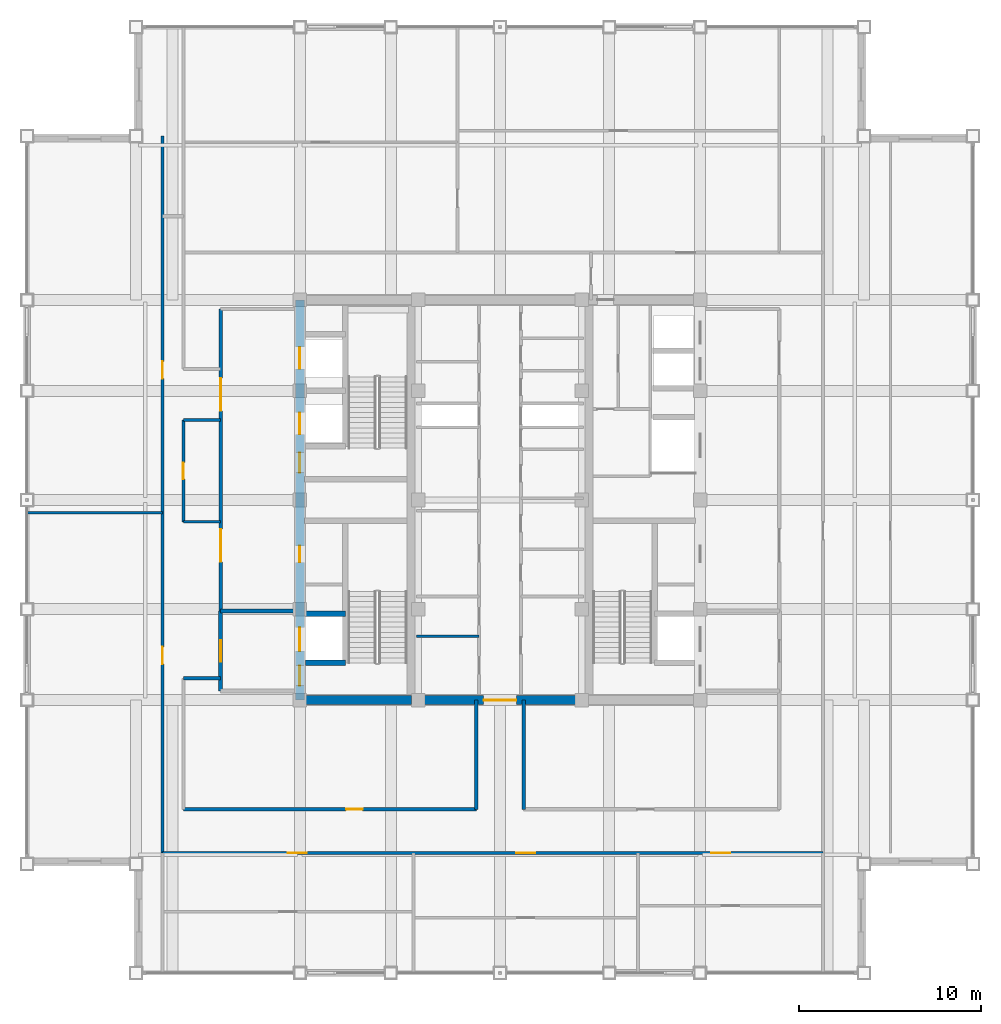
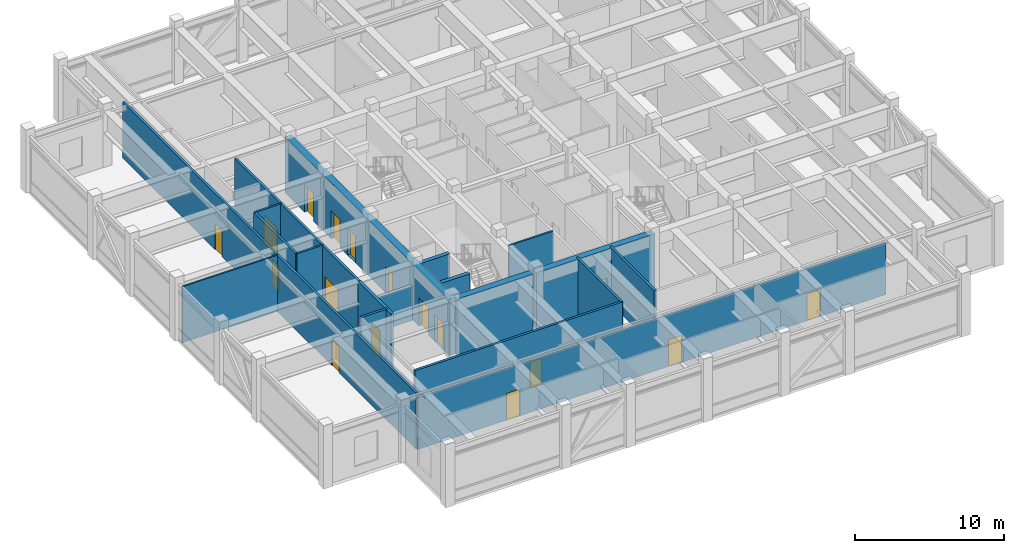
# One storey, part 24 of 29: 19 walls, 17 doors, 17 openings.
"""IFC4 building model written with IfcOpenShell, lengths in metres."""

from ifc_helpers import new_model, si_unit, direction, frame, frame_2d, origin, place, context, subcontext, project, spatial, rectangle, extrude, source, transform, mapped, material, layer, layer_set, type_object, element, fill, save


model = new_model("IFC4")

# Units and contexts
model_context = context("Model", 3, precision=1e-05, world=origin(), true_north=direction((0.0, 1.0)))
body_context = subcontext(model_context, "Body", "Model", "MODEL_VIEW")
ifc_project = project(units=[si_unit("LENGTHUNIT", "METRE"), si_unit("AREAUNIT", "SQUARE_METRE"), si_unit("VOLUMEUNIT", "CUBIC_METRE"), si_unit("PLANEANGLEUNIT", "RADIAN"), si_unit("MASSUNIT", "GRAM", prefix="KILO")], contexts=[model_context])

# Site, building, storey
site_placement = place(None, origin())
site = spatial("IfcSite", under=ifc_project, at=site_placement, CompositionType="ELEMENT")
building_placement = place(site_placement, origin())
building = spatial("IfcBuilding", under=site, at=building_placement, Name="Khorayat Bourse Tower", CompositionType="ELEMENT")
storey_placement = place(building_placement, frame((0.0, 0.0, 370.300048828125)))
storey = spatial("IfcBuildingStorey", under=building, at=storey_placement, Name="L88", CompositionType="ELEMENT", Elevation=370.300048828125)

# Wall, openings, doors
ifc_material_1 = material(Name="Concrete C52/65", Category="concrete")
ifc_layer_1 = layer(ifc_material_1, 0.5)
ifc_layer_set_1 = layer_set([ifc_layer_1], Name="Concrete C52/65")
wall_type_1 = type_object("IfcWallType", Name="WAL-CORE-500", PredefinedType="SHEAR", material=ifc_layer_set_1)
shared_shape_1 = source(origin(), body_context, "Body", "SweptSolid", [
    extrude(rectangle(XDim=22.0, YDim=0.5, at=frame_2d((11.0, 0.0))), origin(), (0.0, 0.0, 1.0), 4.599853515625),
])
wall_1_placement = place(storey_placement, frame((-11.0, -11.0, 0.0), z_axis=(0.0, 0.0, 1.0), x_axis=(0.0, 1.0, 0.0)))
wall_1 = element("IfcWall", 1, at=wall_1_placement, inside=storey, type_object=wall_type_1, Name="L88 Core Shear Wall CORE-W", PredefinedType="SHEAR", context=body_context, shape_type="MappedRepresentation", body=[
    mapped(shared_shape_1, transform((0.0, 0.0, 0.0), scale=1.0)),
])
shared_shape_2 = source(origin(), body_context, "Body", "SweptSolid", [
    extrude(rectangle(XDim=1.10009765625, YDim=2.199951171875, at=frame_2d((0.550048828125, 1.10009765625))), frame((0.0, 0.260009765625, 0.0), z_axis=(0.0, -1.0, 0.0), x_axis=(1.0, 0.0, 0.0)), (0.0, 0.0, 1.0), 0.52001953125),
])
opening_1_placement = place(wall_1_placement, frame((0.800048828125, 0.0, 0.0)))
opening_1 = element("IfcOpeningElement", 2, at=opening_1_placement, cuts=wall_1, Name="Opening DI-01", PredefinedType="OPENING", context=body_context, shape_type="MappedRepresentation", body=[
    mapped(shared_shape_2, transform((0.0, 0.0, 0.0), scale=1.0)),
])
opening_2_placement = place(wall_1_placement, frame((12.5, 0.0, 0.0)))
opening_2 = element("IfcOpeningElement", 3, at=opening_2_placement, cuts=wall_1, Name="Opening DI-01", PredefinedType="OPENING", context=body_context, shape_type="MappedRepresentation", body=[
    mapped(shared_shape_2, transform((0.0, 0.0, 0.0), scale=1.0)),
])
shared_shape_3 = source(origin(), body_context, "Body", "SweptSolid", [
    extrude(rectangle(XDim=0.89990234375, YDim=2.14990234375, at=frame_2d((0.449951171875, 1.074951171875))), frame((0.0, 0.260009765625, 0.0), z_axis=(0.0, -1.0, 0.0), x_axis=(1.0, 0.0, 0.0)), (0.0, 0.0, 1.0), 0.52001953125),
])
opening_3_placement = place(wall_1_placement, frame((7.574951171875, 0.0, 0.0)))
opening_3 = element("IfcOpeningElement", 4, at=opening_3_placement, cuts=wall_1, Name="Opening DI-06", PredefinedType="OPENING", context=body_context, shape_type="MappedRepresentation", body=[
    mapped(shared_shape_3, transform((0.0, 0.0, 0.0), scale=1.0)),
])
shared_shape_4 = source(origin(), body_context, "Body", "SweptSolid", [
    extrude(rectangle(XDim=1.199951171875, YDim=2.300048828125, at=frame_2d((0.60009765625, 1.14990234375))), frame((0.0, 0.260009765625, 0.0), z_axis=(0.0, -1.0, 0.0), x_axis=(1.0, 0.0, 0.0)), (0.0, 0.0, 1.0), 0.52001953125),
])
opening_4_placement = place(wall_1_placement, frame((14.60009765625, 0.0, 0.0)))
opening_4 = element("IfcOpeningElement", 5, at=opening_4_placement, cuts=wall_1, Name="Opening LD-01", PredefinedType="OPENING", context=body_context, shape_type="MappedRepresentation", body=[
    mapped(shared_shape_4, transform((0.0, 0.0, 0.0), scale=1.0)),
])
opening_5_placement = place(wall_1_placement, frame((18.199951171875, 0.0, 0.0)))
opening_5 = element("IfcOpeningElement", 6, at=opening_5_placement, cuts=wall_1, Name="Opening LD-01", PredefinedType="OPENING", context=body_context, shape_type="MappedRepresentation", body=[
    mapped(shared_shape_4, transform((0.0, 0.0, 0.0), scale=1.0)),
])
shared_shape_5 = source(origin(), body_context, "Body", "SweptSolid", [
    extrude(rectangle(XDim=1.300048828125, YDim=2.300048828125, at=frame_2d((0.64990234375, 1.14990234375))), frame((0.0, 0.260009765625, 0.0), z_axis=(0.0, -1.0, 0.0), x_axis=(1.0, 0.0, 0.0)), (0.0, 0.0, 1.0), 0.52001953125),
])
opening_6_placement = place(wall_1_placement, frame((2.699951171875, 0.0, 0.0)))
opening_6 = element("IfcOpeningElement", 7, at=opening_6_placement, cuts=wall_1, Name="Opening LD-02", PredefinedType="OPENING", context=body_context, shape_type="MappedRepresentation", body=[
    mapped(shared_shape_5, transform((0.0, 0.0, 0.0), scale=1.0)),
])
ifc_material_2 = material(Name="Fire-rated steel acoustic leaf", Category="steel")
door_type_1 = type_object("IfcDoorType", Name="DR-INT-STAIR-1100", OperationType="NOTDEFINED", PredefinedType="DOOR", material=ifc_material_2)
shared_shape_6 = source(origin(), body_context, "Body", "SweptSolid", [
    extrude(rectangle(XDim=1.10009765625, YDim=2.199951171875, at=frame_2d((0.550048828125, 1.10009765625))), frame((0.0, 0.02490234375, 0.0), z_axis=(0.0, -1.0, 0.0), x_axis=(1.0, 0.0, 0.0)), (0.0, 0.0, 1.0), 0.050048828125),
])
door_1_placement = place(opening_1_placement, origin())
door_1 = element("IfcDoor", 8, at=door_1_placement, inside=storey, type_object=door_type_1, Name="L88 Exit Stair 1 Door", OperationType="SINGLE_SWING_RIGHT", OverallHeight=2.199951171875, OverallWidth=1.10009765625, PredefinedType="DOOR", context=body_context, shape_type="MappedRepresentation", body=[
    mapped(shared_shape_6, transform((0.0, 0.0, 0.0), scale=1.0)),
])
fill(opening_1, door_1)
door_2_placement = place(opening_2_placement, origin())
door_2 = element("IfcDoor", 9, at=door_2_placement, inside=storey, type_object=door_type_1, Name="L88 Exit Stair 2 Door", OperationType="SINGLE_SWING_RIGHT", OverallHeight=2.199951171875, OverallWidth=1.10009765625, PredefinedType="DOOR", context=body_context, shape_type="MappedRepresentation", body=[
    mapped(shared_shape_6, transform((0.0, 0.0, 0.0), scale=1.0)),
])
fill(opening_2, door_2)
ifc_material_3 = material(Name="Moisture-resistant laminate washroom door")
door_type_2 = type_object("IfcDoorType", Name="DR-INT-WC-900", OperationType="NOTDEFINED", PredefinedType="DOOR", material=ifc_material_3)
shared_shape_7 = source(origin(), body_context, "Body", "SweptSolid", [
    extrude(rectangle(XDim=0.89990234375, YDim=2.14990234375, at=frame_2d((0.449951171875, 1.074951171875))), frame((0.0, 0.02490234375, 0.0), z_axis=(0.0, -1.0, 0.0), x_axis=(1.0, 0.0, 0.0)), (0.0, 0.0, 1.0), 0.050048828125),
])
door_3_placement = place(opening_3_placement, origin())
door_3 = element("IfcDoor", 10, at=door_3_placement, inside=storey, type_object=door_type_2, Name="L88 UPS Switch Plant Room Door", OperationType="SINGLE_SWING_RIGHT", OverallHeight=2.14990234375, OverallWidth=0.89990234375, PredefinedType="DOOR", context=body_context, shape_type="MappedRepresentation", body=[
    mapped(shared_shape_7, transform((0.0, 0.0, 0.0), scale=1.0)),
])
fill(opening_3, door_3)
ifc_material_4 = material(Name="Brushed bronze stainless-steel sliding door", Category="steel")
door_type_3 = type_object("IfcDoorType", Name="DR-LIFT-PASS-1200", OperationType="NOTDEFINED", PredefinedType="DOOR", material=ifc_material_4)
shared_shape_8 = source(origin(), body_context, "Body", "SweptSolid", [
    extrude(rectangle(XDim=1.199951171875, YDim=2.300048828125, at=frame_2d((0.60009765625, 1.14990234375))), frame((0.0, 0.02490234375, 0.0), z_axis=(0.0, -1.0, 0.0), x_axis=(1.0, 0.0, 0.0)), (0.0, 0.0, 1.0), 0.050048828125),
])
door_4_placement = place(opening_4_placement, origin())
door_4 = element("IfcDoor", 11, at=door_4_placement, inside=storey, type_object=door_type_3, Name="L88 Lift PL-H1 Sliding Landing Door", OperationType="SLIDING_TO_LEFT", OverallHeight=2.300048828125, OverallWidth=1.199951171875, PredefinedType="DOOR", context=body_context, shape_type="MappedRepresentation", body=[
    mapped(shared_shape_8, transform((0.0, 0.0, 0.0), scale=1.0)),
])
fill(opening_4, door_4)
door_5_placement = place(opening_5_placement, origin())
door_5 = element("IfcDoor", 12, at=door_5_placement, inside=storey, type_object=door_type_3, Name="L88 Lift PL-H2 Sliding Landing Door", OperationType="SLIDING_TO_LEFT", OverallHeight=2.300048828125, OverallWidth=1.199951171875, PredefinedType="DOOR", context=body_context, shape_type="MappedRepresentation", body=[
    mapped(shared_shape_8, transform((0.0, 0.0, 0.0), scale=1.0)),
])
fill(opening_5, door_5)
ifc_material_5 = material(Name="Fire-rated stainless-steel sliding landing door", Category="steel")
door_type_4 = type_object("IfcDoorType", Name="DR-LIFT-FF-1300", OperationType="NOTDEFINED", PredefinedType="DOOR", material=ifc_material_5)
shared_shape_9 = source(origin(), body_context, "Body", "SweptSolid", [
    extrude(rectangle(XDim=1.300048828125, YDim=2.300048828125, at=frame_2d((0.64990234375, 1.14990234375))), frame((0.0, 0.02490234375, 0.0), z_axis=(0.0, -1.0, 0.0), x_axis=(1.0, 0.0, 0.0)), (0.0, 0.0, 1.0), 0.050048828125),
])
door_6_placement = place(opening_6_placement, origin())
door_6 = element("IfcDoor", 13, at=door_6_placement, inside=storey, type_object=door_type_4, Name="L88 Lift FFL-01 Sliding Landing Door", OperationType="SLIDING_TO_LEFT", OverallHeight=2.300048828125, OverallWidth=1.300048828125, PredefinedType="DOOR", context=body_context, shape_type="MappedRepresentation", body=[
    mapped(shared_shape_9, transform((0.0, 0.0, 0.0), scale=1.0)),
])
fill(opening_6, door_6)

# Wall, opening, door
shared_shape_10 = source(origin(), body_context, "Body", "SweptSolid", [
    extrude(rectangle(XDim=9.2001953125, YDim=0.5, at=frame_2d((4.60009765625, 0.0))), origin(), (0.0, 0.0, 1.0), 4.599853515625),
])
wall_2_placement = place(storey_placement, frame((-4.60009765625, -11.0, 0.0), z_axis=(0.0, 0.0, 1.0), x_axis=(1.0, 0.0, 0.0)))
wall_2 = element("IfcWall", 14, at=wall_2_placement, inside=storey, type_object=wall_type_1, Name="L88 Core Shear Wall CORE-S", PredefinedType="SHEAR", context=body_context, shape_type="MappedRepresentation", body=[
    mapped(shared_shape_10, transform((0.0, 0.0, 0.0), scale=1.0)),
])
shared_shape_11 = source(origin(), body_context, "Body", "SweptSolid", [
    extrude(rectangle(XDim=1.800048828125, YDim=2.25, at=frame_2d((0.89990234375, 1.125))), frame((0.0, 0.260009765625, 0.0), z_axis=(0.0, -1.0, 0.0), x_axis=(1.0, 0.0, 0.0)), (0.0, 0.0, 1.0), 0.52001953125),
])
opening_7_placement = place(wall_2_placement, frame((3.699951171875, 0.0, 0.0)))
opening_7 = element("IfcOpeningElement", 15, at=opening_7_placement, cuts=wall_2, Name="Opening DI-03", PredefinedType="OPENING", context=body_context, shape_type="MappedRepresentation", body=[
    mapped(shared_shape_11, transform((0.0, 0.0, 0.0), scale=1.0)),
])
ifc_material_6 = material(Name="Fire-rated hardwood vision-panel double leaf", Category="wood")
door_type_5 = type_object("IfcDoorType", Name="DR-INT-CORR-1800", OperationType="NOTDEFINED", PredefinedType="DOOR", material=ifc_material_6)
shared_shape_12 = source(origin(), body_context, "Body", "SweptSolid", [
    extrude(rectangle(XDim=1.800048828125, YDim=2.25, at=frame_2d((0.89990234375, 1.125))), frame((0.0, 0.02490234375, 0.0), z_axis=(0.0, -1.0, 0.0), x_axis=(1.0, 0.0, 0.0)), (0.0, 0.0, 1.0), 0.050048828125),
])
door_7_placement = place(opening_7_placement, origin())
door_7 = element("IfcDoor", 16, at=door_7_placement, inside=storey, type_object=door_type_5, Name="L88 Central Core South Passage Door", OperationType="SINGLE_SWING_LEFT", OverallHeight=2.25, OverallWidth=1.800048828125, PredefinedType="DOOR", context=body_context, shape_type="MappedRepresentation", body=[
    mapped(shared_shape_12, transform((0.0, 0.0, 0.0), scale=1.0)),
])
fill(opening_7, door_7)

# Walls
shared_shape_13 = source(origin(), body_context, "Body", "SweptSolid", [
    extrude(rectangle(XDim=5.89990234375, YDim=0.5, at=frame_2d((2.949951171875, 0.0))), origin(), (0.0, 0.0, 1.0), 4.599853515625),
])
wall_3_placement = place(storey_placement, frame((-10.75, -11.0, 0.0), z_axis=(0.0, 0.0, 1.0), x_axis=(1.0, 0.0, 0.0)))
element("IfcWall", 17, at=wall_3_placement, inside=storey, type_object=wall_type_1, Name="L88 Core Shear Wall PIER-WS", PredefinedType="SHEAR", context=body_context, shape_type="MappedRepresentation", body=[
    mapped(shared_shape_13, transform((0.0, 0.0, 0.0), scale=1.0)),
])
ifc_material_7 = material(Name="Aerated concrete blockwork", Category="masonry")
ifc_layer_2 = layer(ifc_material_7, 0.219970703125)
ifc_layer_set_2 = layer_set([ifc_layer_2], Name="Aerated concrete blockwork")
wall_type_2 = type_object("IfcWallType", Name="WAL-PART-FF-220", PredefinedType="PARTITIONING", material=ifc_layer_set_2)
shared_shape_14 = source(origin(), body_context, "Body", "SweptSolid", [
    extrude(rectangle(XDim=4.050048828125, YDim=0.219970703125, at=frame_2d((2.02490234375, 0.0))), origin(), (0.0, 0.0, 1.0), 2.800048828125),
])
wall_4_placement = place(storey_placement, frame((-15.35009765625, -6.10009765625, 0.0), z_axis=(0.0, 0.0, 1.0), x_axis=(1.0, 0.0, 0.0)))
element("IfcWall", 18, at=wall_4_placement, inside=storey, type_object=wall_type_2, Name="L88 Partition WAL-L88-FFLW-N", PredefinedType="PARTITIONING", context=body_context, shape_type="MappedRepresentation", body=[
    mapped(shared_shape_14, transform((0.0, 0.0, 0.0), scale=1.0)),
])
ifc_material_8 = material(Name="Concrete C50/60", Category="concrete")
ifc_layer_3 = layer(ifc_material_8, 0.300048828125)
ifc_layer_set_3 = layer_set([ifc_layer_3], Name="Concrete C50/60")
wall_type_3 = type_object("IfcWallType", Name="WAL-SHAFT-300", PredefinedType="SHEAR", material=ifc_layer_set_3)
shared_shape_15 = source(origin(), body_context, "Body", "SweptSolid", [
    extrude(rectangle(XDim=2.199951171875, YDim=0.300048828125, at=frame_2d((1.10009765625, 0.0))), origin(), (0.0, 0.0, 1.0), 4.599853515625),
])
for number, where, z_axis, x_axis, name in (
    (19, (-10.699951171875, -8.949951171875, 0.0), (0.0, 0.0, 1.0), (1.0, 0.0, 0.0), "L88 Partition WAL-L88-WPIER-FF1S"),
    (20, (-10.699951171875, -6.25, 0.0), (0.0, 0.0, 1.0), (1.0, 0.0, 0.0), "L88 Partition WAL-L88-WPIER-FF1N"),
):
    element("IfcWall", number, at=place(storey_placement, frame(where, z_axis=z_axis, x_axis=x_axis)), inside=storey, type_object=wall_type_3, Name=name, PredefinedType="SHEAR", context=body_context, shape_type="MappedRepresentation", body=[
        mapped(shared_shape_15, transform((0.0, 0.0, 0.0), scale=1.0)),
    ])

# Wall, opening, door
shared_shape_16 = source(origin(), body_context, "Body", "SweptSolid", [
    extrude(rectangle(XDim=4.39990234375, YDim=0.219970703125, at=frame_2d((2.199951171875, 0.0))), origin(), (0.0, 0.0, 1.0), 4.599853515625),
])
wall_5_placement = place(storey_placement, frame((-15.35009765625, -10.5, 0.0), z_axis=(0.0, 0.0, 1.0), x_axis=(0.0, 1.0, 0.0)))
wall_5 = element("IfcWall", 21, at=wall_5_placement, inside=storey, type_object=wall_type_2, Name="L88 Partition WAL-L88-FFLW-W", PredefinedType="PARTITIONING", context=body_context, shape_type="MappedRepresentation", body=[
    mapped(shared_shape_16, transform((0.0, 0.0, 0.0), scale=1.0)),
])
shared_shape_17 = source(origin(), body_context, "Body", "SweptSolid", [
    extrude(rectangle(XDim=1.199951171875, YDim=2.199951171875, at=frame_2d((0.60009765625, 1.10009765625))), frame((0.0, 0.119873046875, 0.0), z_axis=(0.0, -1.0, 0.0), x_axis=(1.0, 0.0, 0.0)), (0.0, 0.0, 1.0), 0.239990234375),
])
opening_8_placement = place(wall_5_placement, frame((1.60009765625, 0.0, 0.0)))
opening_8 = element("IfcOpeningElement", 22, at=opening_8_placement, cuts=wall_5, Name="Opening DI-02", PredefinedType="OPENING", context=body_context, shape_type="MappedRepresentation", body=[
    mapped(shared_shape_17, transform((0.0, 0.0, 0.0), scale=1.0)),
])
ifc_material_9 = material(Name="Fire-rated steel double-seal leaf", Category="steel")
door_type_6 = type_object("IfcDoorType", Name="DR-INT-FFLOBBY-1200", OperationType="NOTDEFINED", PredefinedType="DOOR", material=ifc_material_9)
shared_shape_18 = source(origin(), body_context, "Body", "SweptSolid", [
    extrude(rectangle(XDim=1.199951171875, YDim=2.199951171875, at=frame_2d((0.60009765625, 1.10009765625))), frame((0.0, 0.02490234375, 0.0), z_axis=(0.0, -1.0, 0.0), x_axis=(1.0, 0.0, 0.0)), (0.0, 0.0, 1.0), 0.050048828125),
])
door_8_placement = place(opening_8_placement, origin())
door_8 = element("IfcDoor", 23, at=door_8_placement, inside=storey, type_object=door_type_6, Name="L88 West Firefighting Lobby Door", OperationType="SINGLE_SWING_LEFT", OverallHeight=2.199951171875, OverallWidth=1.199951171875, PredefinedType="DOOR", context=body_context, shape_type="MappedRepresentation", body=[
    mapped(shared_shape_18, transform((0.0, 0.0, 0.0), scale=1.0)),
])
fill(opening_8, door_8)

# Wall, openings, doors
ifc_material_10 = material(Name="Gypsum plasterboard acoustic stud wall")
ifc_layer_4 = layer(ifc_material_10, 0.179931640625)
ifc_layer_set_4 = layer_set([ifc_layer_4], Name="Gypsum plasterboard acoustic stud wall")
wall_type_4 = type_object("IfcWallType", Name="WAL-PART-CORR-180", PredefinedType="PARTITIONING", material=ifc_layer_set_4)
shared_shape_19 = source(origin(), body_context, "Body", "SweptSolid", [
    extrude(rectangle(XDim=16.60009765625, YDim=0.179931640625, at=frame_2d((8.300048828125, 0.0))), origin(), (0.0, 0.0, 1.0), 4.599853515625),
])
wall_6_placement = place(storey_placement, frame((-15.35009765625, -6.10009765625, 0.0), z_axis=(0.0, 0.0, 1.0), x_axis=(0.0, 1.0, 0.0)))
wall_6 = element("IfcWall", 24, at=wall_6_placement, inside=storey, type_object=wall_type_4, Name="L88 Partition WAL-L88-WLOB-W", PredefinedType="PARTITIONING", context=body_context, shape_type="MappedRepresentation", body=[
    mapped(shared_shape_19, transform((0.0, 0.0, 0.0), scale=1.0)),
])
shared_shape_20 = source(origin(), body_context, "Body", "SweptSolid", [
    extrude(rectangle(XDim=1.800048828125, YDim=2.25, at=frame_2d((0.89990234375, 1.125))), frame((0.0, 0.099853515625, 0.0), z_axis=(0.0, -1.0, 0.0), x_axis=(1.0, 0.0, 0.0)), (0.0, 0.0, 1.0), 0.199951171875),
])
opening_9_placement = place(wall_6_placement, frame((2.699951171875, 0.0, 0.0)))
opening_9 = element("IfcOpeningElement", 25, at=opening_9_placement, cuts=wall_6, Name="Opening DI-03", PredefinedType="OPENING", context=body_context, shape_type="MappedRepresentation", body=[
    mapped(shared_shape_20, transform((0.0, 0.0, 0.0), scale=1.0)),
])
opening_10_placement = place(wall_6_placement, frame((11.0, 0.0, 0.0)))
opening_10 = element("IfcOpeningElement", 26, at=opening_10_placement, cuts=wall_6, Name="Opening DI-03", PredefinedType="OPENING", context=body_context, shape_type="MappedRepresentation", body=[
    mapped(shared_shape_20, transform((0.0, 0.0, 0.0), scale=1.0)),
])
door_9_placement = place(opening_9_placement, origin())
door_9 = element("IfcDoor", 27, at=door_9_placement, inside=storey, type_object=door_type_5, Name="L88 West Core Lobby South Door", OperationType="SINGLE_SWING_LEFT", OverallHeight=2.25, OverallWidth=1.800048828125, PredefinedType="DOOR", context=body_context, shape_type="MappedRepresentation", body=[
    mapped(shared_shape_12, transform((0.0, 0.0, 0.0), scale=1.0)),
])
fill(opening_9, door_9)
door_10_placement = place(opening_10_placement, origin())
door_10 = element("IfcDoor", 28, at=door_10_placement, inside=storey, type_object=door_type_5, Name="L88 West Core Lobby North Door", OperationType="SINGLE_SWING_RIGHT", OverallHeight=2.25, OverallWidth=1.800048828125, PredefinedType="DOOR", context=body_context, shape_type="MappedRepresentation", body=[
    mapped(shared_shape_12, transform((0.0, 0.0, 0.0), scale=1.0)),
])
fill(opening_10, door_10)

# Wall
ifc_material_11 = material(Name="Moisture-resistant masonry partition", Category="masonry")
ifc_layer_5 = layer(ifc_material_11, 0.139892578125)
ifc_layer_set_5 = layer_set([ifc_layer_5], Name="Moisture-resistant masonry partition")
wall_type_5 = type_object("IfcWallType", Name="WAL-PART-WET-140", PredefinedType="PARTITIONING", material=ifc_layer_set_5)
shared_shape_21 = source(origin(), body_context, "Body", "SweptSolid", [
    extrude(rectangle(XDim=3.4501953125, YDim=0.139892578125, at=frame_2d((1.72509765625, 0.0))), origin(), (0.0, 0.0, 1.0), 4.599853515625),
])
wall_7_placement = place(storey_placement, frame((-4.60009765625, -7.5, 0.0), z_axis=(0.0, 0.0, 1.0), x_axis=(1.0, 0.0, 0.0)))
element("IfcWall", 29, at=wall_7_placement, inside=storey, type_object=wall_type_5, Name="L88 Partition WAL-L88-FB1W-D1", PredefinedType="PARTITIONING", context=body_context, shape_type="MappedRepresentation", body=[
    mapped(shared_shape_21, transform((0.0, 0.0, 0.0), scale=1.0)),
])

# Wall, opening, door
shared_shape_22 = source(origin(), body_context, "Body", "SweptSolid", [
    extrude(rectangle(XDim=5.599853515625, YDim=0.179931640625, at=frame_2d((2.7998046875, 0.0))), origin(), (0.0, 0.0, 1.0), 4.599853515625),
])
wall_8_placement = place(storey_placement, frame((-17.39990234375, -1.199951171875, 0.0), z_axis=(0.0, 0.0, 1.0), x_axis=(0.0, 1.0, 0.0)))
wall_8 = element("IfcWall", 30, at=wall_8_placement, inside=storey, type_object=wall_type_4, Name="L88 Partition WAL-L88-PKWM-W", PredefinedType="PARTITIONING", context=body_context, shape_type="MappedRepresentation", body=[
    mapped(shared_shape_22, transform((0.0, 0.0, 0.0), scale=1.0)),
])
shared_shape_23 = source(origin(), body_context, "Body", "SweptSolid", [
    extrude(rectangle(XDim=0.89990234375, YDim=2.14990234375, at=frame_2d((0.449951171875, 1.074951171875))), frame((0.0, 0.099853515625, 0.0), z_axis=(0.0, -1.0, 0.0), x_axis=(1.0, 0.0, 0.0)), (0.0, 0.0, 1.0), 0.199951171875),
])
opening_11_placement = place(wall_8_placement, frame((2.35009765625, 0.0, 0.0)))
opening_11 = element("IfcOpeningElement", 31, at=opening_11_placement, cuts=wall_8, Name="Opening DI-06", PredefinedType="OPENING", context=body_context, shape_type="MappedRepresentation", body=[
    mapped(shared_shape_23, transform((0.0, 0.0, 0.0), scale=1.0)),
])
door_11_placement = place(opening_11_placement, origin())
door_11 = element("IfcDoor", 32, at=door_11_placement, inside=storey, type_object=door_type_2, Name="L88 West Inboard Focus Door", OperationType="SINGLE_SWING_LEFT", OverallHeight=2.14990234375, OverallWidth=0.89990234375, PredefinedType="DOOR", context=body_context, shape_type="MappedRepresentation", body=[
    mapped(shared_shape_7, transform((0.0, 0.0, 0.0), scale=1.0)),
])
fill(opening_11, door_11)

# Walls
ifc_material_12 = material(Name="Gypsum plasterboard twin-frame partition")
ifc_layer_6 = layer(ifc_material_12, 0.14990234375)
ifc_layer_set_6 = layer_set([ifc_layer_6], Name="Gypsum plasterboard twin-frame partition")
wall_type_6 = type_object("IfcWallType", Name="WAL-PART-SUITE-150", PredefinedType="PARTITIONING", material=ifc_layer_set_6)
shared_shape_24 = source(origin(), body_context, "Body", "SweptSolid", [
    extrude(rectangle(XDim=2.0498046875, YDim=0.14990234375, at=frame_2d((1.02490234375, 0.0))), origin(), (0.0, 0.0, 1.0), 4.599853515625),
])
for number, where, z_axis, x_axis, name in (
    (33, (-17.39990234375, -1.199951171875, 0.0), (0.0, 0.0, 1.0), (1.0, 0.0, 0.0), "L88 Partition WAL-L88-PKWM-S"),
    (34, (-17.39990234375, 4.39990234375, 0.0), (0.0, 0.0, 1.0), (1.0, 0.0, 0.0), "L88 Partition WAL-L88-PKWM-N"),
):
    element("IfcWall", number, at=place(storey_placement, frame(where, z_axis=z_axis, x_axis=x_axis)), inside=storey, type_object=wall_type_6, Name=name, PredefinedType="PARTITIONING", context=body_context, shape_type="MappedRepresentation", body=[
        mapped(shared_shape_24, transform((0.0, 0.0, 0.0), scale=1.0)),
    ])
shared_shape_25 = source(origin(), body_context, "Body", "SweptSolid", [
    extrude(rectangle(XDim=2.0498046875, YDim=0.179931640625, at=frame_2d((1.02490234375, 0.0))), origin(), (0.0, 0.0, 1.0), 4.599853515625),
])
wall_9_placement = place(storey_placement, frame((-17.39990234375, -9.800048828125, 0.0), z_axis=(0.0, 0.0, 1.0), x_axis=(1.0, 0.0, 0.0)))
element("IfcWall", 35, at=wall_9_placement, inside=storey, type_object=wall_type_4, Name="L88 Partition WAL-L88-THRW-S", PredefinedType="PARTITIONING", context=body_context, shape_type="MappedRepresentation", body=[
    mapped(shared_shape_25, transform((0.0, 0.0, 0.0), scale=1.0)),
])

# Wall, opening, door
shared_shape_26 = source(origin(), body_context, "Body", "SweptSolid", [
    extrude(rectangle(XDim=16.099853515625, YDim=0.179931640625, at=frame_2d((8.0498046875, 0.0))), origin(), (0.0, 0.0, 1.0), 4.599853515625),
])
wall_10_placement = place(storey_placement, frame((-17.39990234375, -17.0, 0.0), z_axis=(0.0, 0.0, 1.0), x_axis=(1.0, 0.0, 0.0)))
wall_10 = element("IfcWall", 36, at=wall_10_placement, inside=storey, type_object=wall_type_4, Name="L88 Partition WAL-L88-PKSW-S", PredefinedType="PARTITIONING", context=body_context, shape_type="MappedRepresentation", body=[
    mapped(shared_shape_26, transform((0.0, 0.0, 0.0), scale=1.0)),
])
opening_12_placement = place(wall_10_placement, frame((8.949951171875, 0.0, 0.0)))
opening_12 = element("IfcOpeningElement", 37, at=opening_12_placement, cuts=wall_10, Name="Opening DI-06", PredefinedType="OPENING", context=body_context, shape_type="MappedRepresentation", body=[
    mapped(shared_shape_23, transform((0.0, 0.0, 0.0), scale=1.0)),
])
door_12_placement = place(opening_12_placement, origin())
door_12 = element("IfcDoor", 38, at=door_12_placement, inside=storey, type_object=door_type_2, Name="L88 SW Inboard Pantry Door", OperationType="SINGLE_SWING_LEFT", OverallHeight=2.14990234375, OverallWidth=0.89990234375, PredefinedType="DOOR", context=body_context, shape_type="MappedRepresentation", body=[
    mapped(shared_shape_7, transform((0.0, 0.0, 0.0), scale=1.0)),
])
fill(opening_12, door_12)

# Walls
shared_shape_27 = source(origin(), body_context, "Body", "SweptSolid", [
    extrude(rectangle(XDim=6.0, YDim=0.179931640625, at=frame_2d((3.0, 0.0))), origin(), (0.0, 0.0, 1.0), 4.599853515625),
])
for number, where, z_axis, x_axis, name in (
    (39, (-1.300048828125, -17.0, 0.0), (0.0, 0.0, 1.0), (0.0, 1.0, 0.0), "L88 Partition WAL-L88-PKSW-E"),
    (40, (1.300048828125, -17.0, 0.0), (0.0, 0.0, 1.0), (0.0, 1.0, 0.0), "L88 Partition WAL-L88-PKSE-W"),
):
    element("IfcWall", number, at=place(storey_placement, frame(where, z_axis=z_axis, x_axis=x_axis)), inside=storey, type_object=wall_type_4, Name=name, PredefinedType="PARTITIONING", context=body_context, shape_type="MappedRepresentation", body=[
        mapped(shared_shape_27, transform((0.0, 0.0, 0.0), scale=1.0)),
    ])

# Wall, openings, doors
shared_shape_28 = source(origin(), body_context, "Body", "SweptSolid", [
    extrude(rectangle(XDim=36.300048828125, YDim=0.179931640625, at=frame_2d((18.14990234375, 0.0))), origin(), (0.0, 0.0, 1.0), 4.2529296875),
])
wall_11_placement = place(storey_placement, frame((-18.550048828125, -19.39990234375, 0.0), z_axis=(0.0, 0.0, 1.0), x_axis=(1.0, 0.0, 0.0)))
wall_11 = element("IfcWall", 41, at=wall_11_placement, inside=storey, type_object=wall_type_4, Name="L88 Partition WAL-L88-SCORR", PredefinedType="PARTITIONING", context=body_context, shape_type="MappedRepresentation", body=[
    mapped(shared_shape_28, transform((0.0, 0.0, 0.0), scale=1.0)),
])
shared_shape_29 = source(origin(), body_context, "Body", "SweptSolid", [
    extrude(rectangle(XDim=1.050048828125, YDim=2.199951171875, at=frame_2d((0.52490234375, 1.10009765625))), frame((0.0, 0.099853515625, 0.0), z_axis=(0.0, -1.0, 0.0), x_axis=(1.0, 0.0, 0.0)), (0.0, 0.0, 1.0), 0.199951171875),
])
opening_13_placement = place(wall_11_placement, frame((6.8720703125, 0.0, 0.0)))
opening_13 = element("IfcOpeningElement", 42, at=opening_13_placement, cuts=wall_11, Name="Opening DI-04", PredefinedType="OPENING", context=body_context, shape_type="MappedRepresentation", body=[
    mapped(shared_shape_29, transform((0.0, 0.0, 0.0), scale=1.0)),
])
opening_14_placement = place(wall_11_placement, frame((19.43994140625, 0.0, 0.0)))
opening_14 = element("IfcOpeningElement", 43, at=opening_14_placement, cuts=wall_11, Name="Opening DI-04", PredefinedType="OPENING", context=body_context, shape_type="MappedRepresentation", body=[
    mapped(shared_shape_29, transform((0.0, 0.0, 0.0), scale=1.0)),
])
opening_15_placement = place(wall_11_placement, frame((30.16796875, 0.0, 0.0)))
opening_15 = element("IfcOpeningElement", 44, at=opening_15_placement, cuts=wall_11, Name="Opening DI-04", PredefinedType="OPENING", context=body_context, shape_type="MappedRepresentation", body=[
    mapped(shared_shape_29, transform((0.0, 0.0, 0.0), scale=1.0)),
])
ifc_material_13 = material(Name="Fire-rated oak veneer suite entrance door")
door_type_7 = type_object("IfcDoorType", Name="DR-INT-SUITE-1050", OperationType="NOTDEFINED", PredefinedType="DOOR", material=ifc_material_13)
shared_shape_30 = source(origin(), body_context, "Body", "SweptSolid", [
    extrude(rectangle(XDim=1.050048828125, YDim=2.199951171875, at=frame_2d((0.52490234375, 1.10009765625))), frame((0.0, 0.02490234375, 0.0), z_axis=(0.0, -1.0, 0.0), x_axis=(1.0, 0.0, 0.0)), (0.0, 0.0, 1.0), 0.050048828125),
])
door_13_placement = place(opening_13_placement, origin())
door_13 = element("IfcDoor", 45, at=door_13_placement, inside=storey, type_object=door_type_7, Name="L88 Executive Boardroom S1 Door", OperationType="SINGLE_SWING_RIGHT", OverallHeight=2.199951171875, OverallWidth=1.050048828125, PredefinedType="DOOR", context=body_context, shape_type="MappedRepresentation", body=[
    mapped(shared_shape_30, transform((0.0, 0.0, 0.0), scale=1.0)),
])
fill(opening_13, door_13)
door_14_placement = place(opening_14_placement, origin())
door_14 = element("IfcDoor", 46, at=door_14_placement, inside=storey, type_object=door_type_7, Name="L88 Floor Reception Concierge S2 Door", OperationType="SINGLE_SWING_LEFT", OverallHeight=2.199951171875, OverallWidth=1.050048828125, PredefinedType="DOOR", context=body_context, shape_type="MappedRepresentation", body=[
    mapped(shared_shape_30, transform((0.0, 0.0, 0.0), scale=1.0)),
])
fill(opening_14, door_14)
door_15_placement = place(opening_15_placement, origin())
door_15 = element("IfcDoor", 47, at=door_15_placement, inside=storey, type_object=door_type_7, Name="L88 Members Exchange Lounge S3 Door", OperationType="SINGLE_SWING_RIGHT", OverallHeight=2.199951171875, OverallWidth=1.050048828125, PredefinedType="DOOR", context=body_context, shape_type="MappedRepresentation", body=[
    mapped(shared_shape_30, transform((0.0, 0.0, 0.0), scale=1.0)),
])
fill(opening_15, door_15)

# Wall
ifc_material_14 = material(Name="Gypsum plasterboard partition")
ifc_layer_7 = layer(ifc_material_14, 0.125)
ifc_layer_set_7 = layer_set([ifc_layer_7], Name="Gypsum plasterboard partition")
wall_type_7 = type_object("IfcWallType", Name="WAL-PART-ROOM-125", PredefinedType="PARTITIONING", material=ifc_layer_set_7)
shared_shape_31 = source(origin(), body_context, "Body", "SweptSolid", [
    extrude(rectangle(XDim=7.449951171875, YDim=0.125, at=frame_2d((3.72509765625, 0.0))), origin(), (0.0, 0.0, 1.0), 4.599853515625),
])
wall_12_placement = place(storey_placement, frame((-26.0, -0.699951171875, 0.0), z_axis=(0.0, 0.0, 1.0), x_axis=(1.0, 0.0, 0.0)))
element("IfcWall", 48, at=wall_12_placement, inside=storey, type_object=wall_type_7, Name="L88 Partition WAL-L88-WDV-1", PredefinedType="PARTITIONING", context=body_context, shape_type="MappedRepresentation", body=[
    mapped(shared_shape_31, transform((0.0, 0.0, 0.0), scale=1.0)),
])

# Wall, openings, doors
shared_shape_32 = source(origin(), body_context, "Body", "SweptSolid", [
    extrude(rectangle(XDim=39.39990234375, YDim=0.179931640625, at=frame_2d((19.699951171875, 0.0))), origin(), (0.0, 0.0, 1.0), 4.599853515625),
])
wall_13_placement = place(storey_placement, frame((-18.550048828125, -19.39990234375, 0.0), z_axis=(0.0, 0.0, 1.0), x_axis=(0.0, 1.0, 0.0)))
wall_13 = element("IfcWall", 49, at=wall_13_placement, inside=storey, type_object=wall_type_4, Name="L88 Partition WAL-L88-WCORR", PredefinedType="PARTITIONING", context=body_context, shape_type="MappedRepresentation", body=[
    mapped(shared_shape_32, transform((0.0, 0.0, 0.0), scale=1.0)),
])
shared_shape_33 = source(origin(), body_context, "Body", "SweptSolid", [
    extrude(rectangle(XDim=0.949951171875, YDim=2.14990234375, at=frame_2d((0.47509765625, 1.074951171875))), frame((0.0, 0.099853515625, 0.0), z_axis=(0.0, -1.0, 0.0), x_axis=(1.0, 0.0, 0.0)), (0.0, 0.0, 1.0), 0.199951171875),
])
opening_16_placement = place(wall_13_placement, frame((10.375, 0.0, 0.0)))
opening_16 = element("IfcOpeningElement", 50, at=opening_16_placement, cuts=wall_13, Name="Opening DI-05", PredefinedType="OPENING", context=body_context, shape_type="MappedRepresentation", body=[
    mapped(shared_shape_33, transform((0.0, 0.0, 0.0), scale=1.0)),
])
opening_17_placement = place(wall_13_placement, frame((26.074951171875, 0.0, 0.0)))
opening_17 = element("IfcOpeningElement", 51, at=opening_17_placement, cuts=wall_13, Name="Opening DI-05", PredefinedType="OPENING", context=body_context, shape_type="MappedRepresentation", body=[
    mapped(shared_shape_33, transform((0.0, 0.0, 0.0), scale=1.0)),
])
ifc_material_15 = material(Name="Acoustic oak veneer office door")
door_type_8 = type_object("IfcDoorType", Name="DR-INT-OFFICE-950", OperationType="NOTDEFINED", PredefinedType="DOOR", material=ifc_material_15)
shared_shape_34 = source(origin(), body_context, "Body", "SweptSolid", [
    extrude(rectangle(XDim=0.949951171875, YDim=2.14990234375, at=frame_2d((0.47509765625, 1.074951171875))), frame((0.0, 0.02490234375, 0.0), z_axis=(0.0, -1.0, 0.0), x_axis=(1.0, 0.0, 0.0)), (0.0, 0.0, 1.0), 0.050048828125),
])
door_16_placement = place(opening_16_placement, origin())
door_16 = element("IfcDoor", 52, at=door_16_placement, inside=storey, type_object=door_type_8, Name="L88 Quantitative Research Study W1 Door", OperationType="SINGLE_SWING_RIGHT", OverallHeight=2.14990234375, OverallWidth=0.949951171875, PredefinedType="DOOR", context=body_context, shape_type="MappedRepresentation", body=[
    mapped(shared_shape_34, transform((0.0, 0.0, 0.0), scale=1.0)),
])
fill(opening_16, door_16)
door_17_placement = place(opening_17_placement, origin())
door_17 = element("IfcDoor", 53, at=door_17_placement, inside=storey, type_object=door_type_8, Name="L88 Executive Boardroom W2 Door", OperationType="SINGLE_SWING_LEFT", OverallHeight=2.14990234375, OverallWidth=0.949951171875, PredefinedType="DOOR", context=body_context, shape_type="MappedRepresentation", body=[
    mapped(shared_shape_34, transform((0.0, 0.0, 0.0), scale=1.0)),
])
fill(opening_17, door_17)

save(model, "model.ifc")
